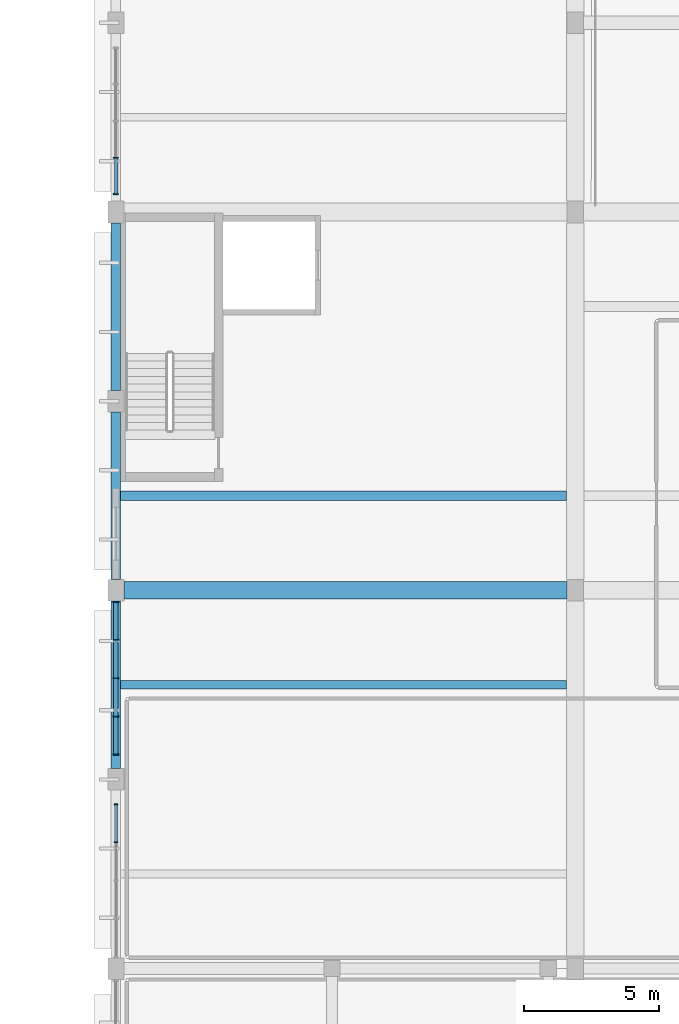
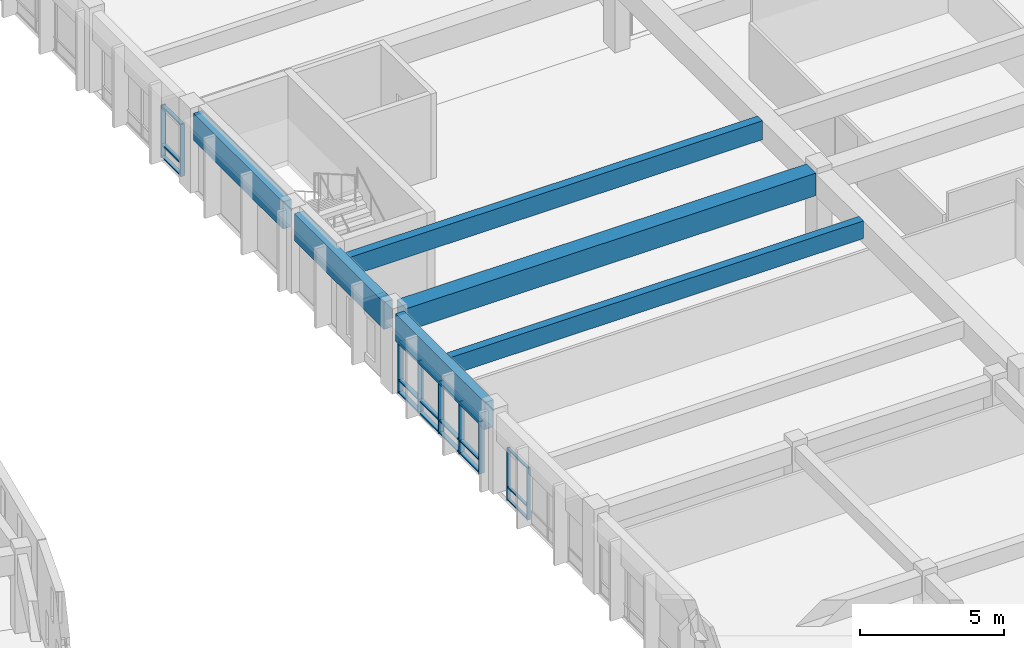
# One storey, part 15 of 155: 27 members, 6 beams, 3 elements without a shape of their own.
"""IFC4 building model written with IfcOpenShell, lengths in metres."""

from ifc_helpers import new_model, si_unit, direction, frame, origin, origin_2d, place, context, subcontext, project, spatial, rectangle, extrude, material, material_profile, profile_set, type_object, element, aggregate, save


model = new_model("IFC4")

# Units and contexts
model_context = context("Model", 3, precision=1e-05, world=origin(), true_north=direction((0.0, 1.0)))
body_context = subcontext(model_context, "Body", "Model", "MODEL_VIEW")
ifc_project = project(units=[si_unit("LENGTHUNIT", "METRE"), si_unit("AREAUNIT", "SQUARE_METRE"), si_unit("VOLUMEUNIT", "CUBIC_METRE"), si_unit("PLANEANGLEUNIT", "RADIAN"), si_unit("MASSUNIT", "GRAM", prefix="KILO")], contexts=[model_context])

# Site, building, storey
site_placement = place(None, origin())
site = spatial("IfcSite", under=ifc_project, at=site_placement, CompositionType="ELEMENT")
building_placement = place(site_placement, origin())
building = spatial("IfcBuilding", under=site, at=building_placement, Name="Larkveld Mobility Hub", CompositionType="ELEMENT")
storey_placement = place(building_placement, frame((0.0, 0.0, 8.39990234375)))
storey = spatial("IfcBuildingStorey", under=building, at=storey_placement, Name="L02", CompositionType="ELEMENT", Elevation=8.39990234375)

# Beams
ifc_material_1 = material(Name="Precast concrete C50/60", Category="concrete")
ifc_material_profile_1 = material_profile(ifc_material_1, rectangle(XDim=0.320068359375, YDim=0.75, at=origin_2d()), Name="PC DT 320x750")
ifc_profile_set_1 = profile_set([ifc_material_profile_1], Name="Precast concrete C50/60")
beam_type_1 = type_object("IfcBeamType", Name="BM-DT3275", PredefinedType="T_BEAM", material=ifc_profile_set_1)
beam_1_placement = place(storey_placement, frame((112.169921875, 38.5, 2.9951171875), z_axis=(1.0, 0.0, 0.0), x_axis=(0.0, 1.0, 0.0)))
element("IfcBeam", 1, at=beam_1_placement, inside=storey, type_object=beam_type_1, Name="Precast Double-Tee Stem L02-1083", PredefinedType="T_BEAM", context=body_context, shape_type="SweptSolid", body=[
    extrude(rectangle(XDim=0.320068359375, YDim=0.75, at=origin_2d()), origin(), (0.0, 0.0, 1.0), 16.510009765625),
])
ifc_material_profile_2 = material_profile(ifc_material_1, rectangle(XDim=0.340087890625, YDim=0.800048828125, at=origin_2d()), Name="PC DT 340x800")
ifc_profile_set_2 = profile_set([ifc_material_profile_2], Name="Precast concrete C50/60")
beam_type_2 = type_object("IfcBeamType", Name="BM-DT3480", PredefinedType="T_BEAM", material=ifc_profile_set_2)
beam_2_placement = place(storey_placement, frame((112.169921875, 45.5, 2.97021484375), z_axis=(1.0, 0.0, 0.0), x_axis=(0.0, 1.0, 0.0)))
element("IfcBeam", 2, at=beam_2_placement, inside=storey, type_object=beam_type_2, Name="Precast Double-Tee Stem L02-1084", PredefinedType="T_BEAM", context=body_context, shape_type="SweptSolid", body=[
    extrude(rectangle(XDim=0.340087890625, YDim=0.800048828125, at=origin_2d()), origin(), (0.0, 0.0, 1.0), 16.510009765625),
])
ifc_material_profile_3 = material_profile(ifc_material_1, rectangle(XDim=0.64990234375, YDim=0.949951171875, at=origin_2d()), Name="PC ITB 650x950")
ifc_profile_set_3 = profile_set([ifc_material_profile_3], Name="Precast concrete C50/60")
beam_type_3 = type_object("IfcBeamType", Name="BM-ITB6595", PredefinedType="T_BEAM", material=ifc_profile_set_3)
beam_3_placement = place(storey_placement, frame((112.300048828125, 42.0, 2.885009765625), z_axis=(1.0, 0.0, 0.0), x_axis=(0.0, 1.0, 0.0)))
element("IfcBeam", 3, at=beam_3_placement, inside=storey, type_object=beam_type_3, Name="Primary E-W Girder L02-0512", PredefinedType="T_BEAM", context=body_context, shape_type="SweptSolid", body=[
    extrude(rectangle(XDim=0.64990234375, YDim=0.949951171875, at=origin_2d()), origin(), (0.0, 0.0, 1.0), 16.39990234375),
])
ifc_material_profile_4 = material_profile(ifc_material_1, rectangle(XDim=0.35009765625, YDim=1.14990234375, at=origin_2d()), Name="PC SP 350x1150")
ifc_profile_set_4 = profile_set([ifc_material_profile_4], Name="Precast concrete C50/60")
beam_type_4 = type_object("IfcBeamType", Name="BM-SP35115", PredefinedType="SPANDREL", material=ifc_profile_set_4)
for number, where, z_axis, x_axis, name in (
    (4, (112.0, 35.39990234375, 2.78515625), (0.0, 1.0, 0.0), (-1.0, 0.0, 0.0), "Primary N-S Girder L02-0627"),
    (5, (112.0, 42.39990234375, 2.78515625), (0.0, 1.0, 0.0), (-1.0, 0.0, 0.0), "Primary N-S Girder L02-0628"),
    (6, (112.0, 49.39990234375, 2.78515625), (0.0, 1.0, 0.0), (-1.0, 0.0, 0.0), "Primary N-S Girder L02-0629"),
):
    element("IfcBeam", number, at=place(storey_placement, frame(where, z_axis=z_axis, x_axis=x_axis)), inside=storey, type_object=beam_type_4, Name=name, PredefinedType="SPANDREL", context=body_context, shape_type="SweptSolid", body=[
        extrude(rectangle(XDim=0.35009765625, YDim=1.14990234375, at=origin_2d()), origin(), (0.0, 0.0, 1.0), 6.2001953125),
    ])

# Curtain wall, members
ifc_material_2 = material(Name="Anodised aluminium 6063-T6", Category="aluminium")
curtain_wall_type_1 = type_object("IfcCurtainWallType", Name="CW-SYS-06", PredefinedType="NOTDEFINED", material=ifc_material_2)
curtain_wall_1_placement = place(storey_placement, origin())
curtain_wall_1 = element("IfcCurtainWall", 7, at=curtain_wall_1_placement, inside=storey, type_object=curtain_wall_type_1, Name="EV Wing West Glazing L02 CW-138", PredefinedType="NOTDEFINED")
ifc_material_profile_5 = material_profile(ifc_material_2, rectangle(XDim=0.050048828125, YDim=0.179931640625, at=origin_2d()), Name="ALU MULL 50x180")
ifc_profile_set_5 = profile_set([ifc_material_profile_5], Name="Anodised aluminium 6063-T6")
member_type_1 = type_object("IfcMemberType", Name="CW-MUL-02", PredefinedType="MULLION", material=ifc_profile_set_5)
member_1_placement = place(storey_placement, frame((112.0, 58.0048828125, -0.001953125), z_axis=(0.0, 0.0, 1.0), x_axis=(0.0, -1.0, 0.0)))
member_1 = element("IfcMember", 8, at=member_1_placement, type_object=member_type_1, Name="CW06 mullion 4", PredefinedType="MULLION", context=body_context, shape_type="SweptSolid", body=[
    extrude(rectangle(XDim=0.050048828125, YDim=0.179931640625, at=origin_2d()), origin(), (0.0, 0.0, 1.0), 2.212158203125),
])
member_2_placement = place(storey_placement, frame((112.0, 56.6650390625, -0.001953125), z_axis=(0.0, 0.0, 1.0), x_axis=(0.0, -1.0, 0.0)))
member_2 = element("IfcMember", 9, at=member_2_placement, type_object=member_type_1, Name="CW06 mullion 5", PredefinedType="MULLION", context=body_context, shape_type="SweptSolid", body=[
    extrude(rectangle(XDim=0.050048828125, YDim=0.179931640625, at=origin_2d()), origin(), (0.0, 0.0, 1.0), 2.212158203125),
])

curtain_wall_type_2 = type_object("IfcCurtainWallType", Name="CW-SYS-03", PredefinedType="NOTDEFINED", material=ifc_material_2)
curtain_wall_2_placement = place(storey_placement, origin())
curtain_wall_2 = element("IfcCurtainWall", 10, at=curtain_wall_2_placement, inside=storey, type_object=curtain_wall_type_2, Name="EV Wing West Glazing L02 CW-135", PredefinedType="NOTDEFINED")
ifc_material_profile_6 = material_profile(ifc_material_2, rectangle(XDim=0.050048828125, YDim=0.2099609375, at=origin_2d()), Name="ALU MULL 50x210")
ifc_profile_set_6 = profile_set([ifc_material_profile_6], Name="Anodised aluminium 6063-T6")
member_type_2 = type_object("IfcMemberType", Name="CW-MUL-03", PredefinedType="MULLION", material=ifc_profile_set_6)
member_3_placement = place(storey_placement, frame((112.0, 41.56494140625, -0.001953125), z_axis=(0.0, 0.0, 1.0), x_axis=(0.0, -1.0, 0.0)))
member_3 = element("IfcMember", 11, at=member_3_placement, type_object=member_type_2, Name="CW03 mullion 1", PredefinedType="MULLION", context=body_context, shape_type="SweptSolid", body=[
    extrude(rectangle(XDim=0.050048828125, YDim=0.2099609375, at=origin_2d()), origin(), (0.0, 0.0, 1.0), 2.212158203125),
])
member_4_placement = place(storey_placement, frame((112.0, 40.16796875, -0.001953125), z_axis=(0.0, 0.0, 1.0), x_axis=(0.0, -1.0, 0.0)))
member_4 = element("IfcMember", 12, at=member_4_placement, type_object=member_type_2, Name="CW03 mullion 2", PredefinedType="MULLION", context=body_context, shape_type="SweptSolid", body=[
    extrude(rectangle(XDim=0.050048828125, YDim=0.2099609375, at=origin_2d()), origin(), (0.0, 0.0, 1.0), 2.212158203125),
])
member_5_placement = place(storey_placement, frame((112.0, 38.7451171875, -0.001953125), z_axis=(0.0, 0.0, 1.0), x_axis=(0.0, -1.0, 0.0)))
member_5 = element("IfcMember", 13, at=member_5_placement, type_object=member_type_2, Name="CW03 mullion 3", PredefinedType="MULLION", context=body_context, shape_type="SweptSolid", body=[
    extrude(rectangle(XDim=0.050048828125, YDim=0.2099609375, at=origin_2d()), origin(), (0.0, 0.0, 1.0), 2.212158203125),
])
member_6_placement = place(storey_placement, frame((112.0, 37.322998046875, -0.001953125), z_axis=(0.0, 0.0, 1.0), x_axis=(0.0, -1.0, 0.0)))
member_6 = element("IfcMember", 14, at=member_6_placement, type_object=member_type_2, Name="CW03 mullion 4", PredefinedType="MULLION", context=body_context, shape_type="SweptSolid", body=[
    extrude(rectangle(XDim=0.050048828125, YDim=0.2099609375, at=origin_2d()), origin(), (0.0, 0.0, 1.0), 2.212158203125),
])
member_7_placement = place(storey_placement, frame((112.0, 35.925048828125, -0.001953125), z_axis=(0.0, 0.0, 1.0), x_axis=(0.0, -1.0, 0.0)))
member_7 = element("IfcMember", 15, at=member_7_placement, type_object=member_type_2, Name="CW03 mullion 5", PredefinedType="MULLION", context=body_context, shape_type="SweptSolid", body=[
    extrude(rectangle(XDim=0.050048828125, YDim=0.2099609375, at=origin_2d()), origin(), (0.0, 0.0, 1.0), 2.212158203125),
])

curtain_wall_type_3 = type_object("IfcCurtainWallType", Name="CW-SYS-04", PredefinedType="NOTDEFINED", material=ifc_material_2)
curtain_wall_3_placement = place(storey_placement, origin())
curtain_wall_3 = element("IfcCurtainWall", 16, at=curtain_wall_3_placement, inside=storey, type_object=curtain_wall_type_3, Name="EV Wing West Glazing L02 CW-136", PredefinedType="NOTDEFINED")
ifc_material_profile_7 = material_profile(ifc_material_2, rectangle(XDim=0.050048828125, YDim=0.1298828125, at=origin_2d()), Name="ALU MULL 50x130")
ifc_profile_set_7 = profile_set([ifc_material_profile_7], Name="Anodised aluminium 6063-T6")
member_type_3 = type_object("IfcMemberType", Name="CW-MUL-04", PredefinedType="MULLION", material=ifc_profile_set_7)
member_8_placement = place(storey_placement, frame((112.0, 34.074951171875, -0.001953125), z_axis=(0.0, 0.0, 1.0), x_axis=(0.0, -1.0, 0.0)))
member_8 = element("IfcMember", 17, at=member_8_placement, type_object=member_type_3, Name="CW04 mullion 1", PredefinedType="MULLION", context=body_context, shape_type="SweptSolid", body=[
    extrude(rectangle(XDim=0.050048828125, YDim=0.1298828125, at=origin_2d()), origin(), (0.0, 0.0, 1.0), 2.212158203125),
])
member_9_placement = place(storey_placement, frame((112.0, 32.677978515625, -0.001953125), z_axis=(0.0, 0.0, 1.0), x_axis=(0.0, -1.0, 0.0)))
member_9 = element("IfcMember", 18, at=member_9_placement, type_object=member_type_3, Name="CW04 mullion 2", PredefinedType="MULLION", context=body_context, shape_type="SweptSolid", body=[
    extrude(rectangle(XDim=0.050048828125, YDim=0.1298828125, at=origin_2d()), origin(), (0.0, 0.0, 1.0), 2.212158203125),
])

# Member
ifc_material_profile_8 = material_profile(ifc_material_2, rectangle(XDim=0.14990234375, YDim=0.050048828125, at=origin_2d()), Name="ALU TRAN 50x150")
ifc_profile_set_8 = profile_set([ifc_material_profile_8], Name="Anodised aluminium 6063-T6")
member_type_4 = type_object("IfcMemberType", Name="CW-TRN-02", PredefinedType="USERDEFINED", material=ifc_profile_set_8)
member_10_placement = place(storey_placement, frame((112.0, 57.989990234375, 0.030029296875), z_axis=(0.0, -1.0, 0.0), x_axis=(1.0, 0.0, 0.0)))
member_10 = element("IfcMember", 19, at=member_10_placement, type_object=member_type_4, Name="CW06 transom 4.1", ObjectType="TRANSOM", PredefinedType="USERDEFINED", context=body_context, shape_type="SweptSolid", body=[
    extrude(rectangle(XDim=0.14990234375, YDim=0.050048828125, at=origin_2d()), origin(), (0.0, 0.0, 1.0), 1.31494140625),
])

member_11_placement = place(storey_placement, frame((112.0, 57.989990234375, 0.552001953125), z_axis=(0.0, -1.0, 0.0), x_axis=(1.0, 0.0, 0.0)))
member_11 = element("IfcMember", 20, at=member_11_placement, type_object=member_type_4, Name="CW06 transom 4.2", ObjectType="TRANSOM", PredefinedType="USERDEFINED", context=body_context, shape_type="SweptSolid", body=[
    extrude(rectangle(XDim=0.14990234375, YDim=0.050048828125, at=origin_2d()), origin(), (0.0, 0.0, 1.0), 1.31494140625),
])

member_12_placement = place(storey_placement, frame((112.0, 57.989990234375, 2.177978515625), z_axis=(0.0, -1.0, 0.0), x_axis=(1.0, 0.0, 0.0)))
member_12 = element("IfcMember", 21, at=member_12_placement, type_object=member_type_4, Name="CW06 transom 4.3", ObjectType="TRANSOM", PredefinedType="USERDEFINED", context=body_context, shape_type="SweptSolid", body=[
    extrude(rectangle(XDim=0.14990234375, YDim=0.050048828125, at=origin_2d()), origin(), (0.0, 0.0, 1.0), 1.31494140625),
])

aggregate(curtain_wall_1, [member_1, member_2, member_10, member_11, member_12])

ifc_material_profile_9 = material_profile(ifc_material_2, rectangle(XDim=0.169921875, YDim=0.050048828125, at=origin_2d()), Name="ALU TRAN 50x170")
ifc_profile_set_9 = profile_set([ifc_material_profile_9], Name="Anodised aluminium 6063-T6")
member_type_5 = type_object("IfcMemberType", Name="CW-TRN-03", PredefinedType="USERDEFINED", material=ifc_profile_set_9)
member_13_placement = place(storey_placement, frame((112.0, 41.554931640625, 0.030029296875), z_axis=(0.0, -1.0, 0.0), x_axis=(1.0, 0.0, 0.0)))
member_13 = element("IfcMember", 22, at=member_13_placement, type_object=member_type_5, Name="CW03 transom 1.1", ObjectType="TRANSOM", PredefinedType="USERDEFINED", context=body_context, shape_type="SweptSolid", body=[
    extrude(rectangle(XDim=0.169921875, YDim=0.050048828125, at=origin_2d()), origin(), (0.0, 0.0, 1.0), 1.371826171875),
])

member_14_placement = place(storey_placement, frame((112.0, 41.554931640625, 0.552001953125), z_axis=(0.0, -1.0, 0.0), x_axis=(1.0, 0.0, 0.0)))
member_14 = element("IfcMember", 23, at=member_14_placement, type_object=member_type_5, Name="CW03 transom 1.2", ObjectType="TRANSOM", PredefinedType="USERDEFINED", context=body_context, shape_type="SweptSolid", body=[
    extrude(rectangle(XDim=0.169921875, YDim=0.050048828125, at=origin_2d()), origin(), (0.0, 0.0, 1.0), 1.371826171875),
])

member_15_placement = place(storey_placement, frame((112.0, 41.554931640625, 2.177978515625), z_axis=(0.0, -1.0, 0.0), x_axis=(1.0, 0.0, 0.0)))
member_15 = element("IfcMember", 24, at=member_15_placement, type_object=member_type_5, Name="CW03 transom 1.3", ObjectType="TRANSOM", PredefinedType="USERDEFINED", context=body_context, shape_type="SweptSolid", body=[
    extrude(rectangle(XDim=0.169921875, YDim=0.050048828125, at=origin_2d()), origin(), (0.0, 0.0, 1.0), 1.371826171875),
])

member_16_placement = place(storey_placement, frame((112.0, 40.153076171875, 0.030029296875), z_axis=(0.0, -1.0, 0.0), x_axis=(1.0, 0.0, 0.0)))
member_16 = element("IfcMember", 25, at=member_16_placement, type_object=member_type_5, Name="CW03 transom 2.1", ObjectType="TRANSOM", PredefinedType="USERDEFINED", context=body_context, shape_type="SweptSolid", body=[
    extrude(rectangle(XDim=0.169921875, YDim=0.050048828125, at=origin_2d()), origin(), (0.0, 0.0, 1.0), 1.39306640625),
])

member_17_placement = place(storey_placement, frame((112.0, 40.153076171875, 0.552001953125), z_axis=(0.0, -1.0, 0.0), x_axis=(1.0, 0.0, 0.0)))
member_17 = element("IfcMember", 26, at=member_17_placement, type_object=member_type_5, Name="CW03 transom 2.2", ObjectType="TRANSOM", PredefinedType="USERDEFINED", context=body_context, shape_type="SweptSolid", body=[
    extrude(rectangle(XDim=0.169921875, YDim=0.050048828125, at=origin_2d()), origin(), (0.0, 0.0, 1.0), 1.39306640625),
])

member_18_placement = place(storey_placement, frame((112.0, 40.153076171875, 2.177978515625), z_axis=(0.0, -1.0, 0.0), x_axis=(1.0, 0.0, 0.0)))
member_18 = element("IfcMember", 27, at=member_18_placement, type_object=member_type_5, Name="CW03 transom 2.3", ObjectType="TRANSOM", PredefinedType="USERDEFINED", context=body_context, shape_type="SweptSolid", body=[
    extrude(rectangle(XDim=0.169921875, YDim=0.050048828125, at=origin_2d()), origin(), (0.0, 0.0, 1.0), 1.39306640625),
])

member_19_placement = place(storey_placement, frame((112.0, 38.72998046875, 0.030029296875), z_axis=(0.0, -1.0, 0.0), x_axis=(1.0, 0.0, 0.0)))
member_19 = element("IfcMember", 28, at=member_19_placement, type_object=member_type_5, Name="CW03 transom 3.1", ObjectType="TRANSOM", PredefinedType="USERDEFINED", context=body_context, shape_type="SweptSolid", body=[
    extrude(rectangle(XDim=0.169921875, YDim=0.050048828125, at=origin_2d()), origin(), (0.0, 0.0, 1.0), 1.39208984375),
])

member_20_placement = place(storey_placement, frame((112.0, 38.72998046875, 0.552001953125), z_axis=(0.0, -1.0, 0.0), x_axis=(1.0, 0.0, 0.0)))
member_20 = element("IfcMember", 29, at=member_20_placement, type_object=member_type_5, Name="CW03 transom 3.2", ObjectType="TRANSOM", PredefinedType="USERDEFINED", context=body_context, shape_type="SweptSolid", body=[
    extrude(rectangle(XDim=0.169921875, YDim=0.050048828125, at=origin_2d()), origin(), (0.0, 0.0, 1.0), 1.39208984375),
])

member_21_placement = place(storey_placement, frame((112.0, 38.72998046875, 2.177978515625), z_axis=(0.0, -1.0, 0.0), x_axis=(1.0, 0.0, 0.0)))
member_21 = element("IfcMember", 30, at=member_21_placement, type_object=member_type_5, Name="CW03 transom 3.3", ObjectType="TRANSOM", PredefinedType="USERDEFINED", context=body_context, shape_type="SweptSolid", body=[
    extrude(rectangle(XDim=0.169921875, YDim=0.050048828125, at=origin_2d()), origin(), (0.0, 0.0, 1.0), 1.39208984375),
])

member_22_placement = place(storey_placement, frame((112.0, 37.30810546875, 0.030029296875), z_axis=(0.0, -1.0, 0.0), x_axis=(1.0, 0.0, 0.0)))
member_22 = element("IfcMember", 31, at=member_22_placement, type_object=member_type_5, Name="CW03 transom 4.1", ObjectType="TRANSOM", PredefinedType="USERDEFINED", context=body_context, shape_type="SweptSolid", body=[
    extrude(rectangle(XDim=0.169921875, YDim=0.050048828125, at=origin_2d()), origin(), (0.0, 0.0, 1.0), 1.373046875),
])

member_23_placement = place(storey_placement, frame((112.0, 37.30810546875, 0.552001953125), z_axis=(0.0, -1.0, 0.0), x_axis=(1.0, 0.0, 0.0)))
member_23 = element("IfcMember", 32, at=member_23_placement, type_object=member_type_5, Name="CW03 transom 4.2", ObjectType="TRANSOM", PredefinedType="USERDEFINED", context=body_context, shape_type="SweptSolid", body=[
    extrude(rectangle(XDim=0.169921875, YDim=0.050048828125, at=origin_2d()), origin(), (0.0, 0.0, 1.0), 1.373046875),
])

member_24_placement = place(storey_placement, frame((112.0, 37.30810546875, 2.177978515625), z_axis=(0.0, -1.0, 0.0), x_axis=(1.0, 0.0, 0.0)))
member_24 = element("IfcMember", 33, at=member_24_placement, type_object=member_type_5, Name="CW03 transom 4.3", ObjectType="TRANSOM", PredefinedType="USERDEFINED", context=body_context, shape_type="SweptSolid", body=[
    extrude(rectangle(XDim=0.169921875, YDim=0.050048828125, at=origin_2d()), origin(), (0.0, 0.0, 1.0), 1.373046875),
])

aggregate(curtain_wall_2, [member_3, member_4, member_5, member_6, member_7, member_13, member_14, member_15, member_16, member_17, member_18, member_19, member_20, member_21, member_22, member_23, member_24])

ifc_material_profile_10 = material_profile(ifc_material_2, rectangle(XDim=0.10009765625, YDim=0.050048828125, at=origin_2d()), Name="ALU TRAN 50x100")
ifc_profile_set_10 = profile_set([ifc_material_profile_10], Name="Anodised aluminium 6063-T6")
member_type_6 = type_object("IfcMemberType", Name="CW-TRN-04", PredefinedType="USERDEFINED", material=ifc_profile_set_10)
member_25_placement = place(storey_placement, frame((112.0, 34.06494140625, 0.030029296875), z_axis=(0.0, -1.0, 0.0), x_axis=(1.0, 0.0, 0.0)))
member_25 = element("IfcMember", 34, at=member_25_placement, type_object=member_type_6, Name="CW04 transom 1.1", ObjectType="TRANSOM", PredefinedType="USERDEFINED", context=body_context, shape_type="SweptSolid", body=[
    extrude(rectangle(XDim=0.10009765625, YDim=0.050048828125, at=origin_2d()), origin(), (0.0, 0.0, 1.0), 1.371826171875),
])

member_26_placement = place(storey_placement, frame((112.0, 34.06494140625, 0.552001953125), z_axis=(0.0, -1.0, 0.0), x_axis=(1.0, 0.0, 0.0)))
member_26 = element("IfcMember", 35, at=member_26_placement, type_object=member_type_6, Name="CW04 transom 1.2", ObjectType="TRANSOM", PredefinedType="USERDEFINED", context=body_context, shape_type="SweptSolid", body=[
    extrude(rectangle(XDim=0.10009765625, YDim=0.050048828125, at=origin_2d()), origin(), (0.0, 0.0, 1.0), 1.371826171875),
])

member_27_placement = place(storey_placement, frame((112.0, 34.06494140625, 2.177978515625), z_axis=(0.0, -1.0, 0.0), x_axis=(1.0, 0.0, 0.0)))
member_27 = element("IfcMember", 36, at=member_27_placement, type_object=member_type_6, Name="CW04 transom 1.3", ObjectType="TRANSOM", PredefinedType="USERDEFINED", context=body_context, shape_type="SweptSolid", body=[
    extrude(rectangle(XDim=0.10009765625, YDim=0.050048828125, at=origin_2d()), origin(), (0.0, 0.0, 1.0), 1.371826171875),
])

aggregate(curtain_wall_3, [member_8, member_9, member_25, member_26, member_27])

save(model, "model.ifc")
